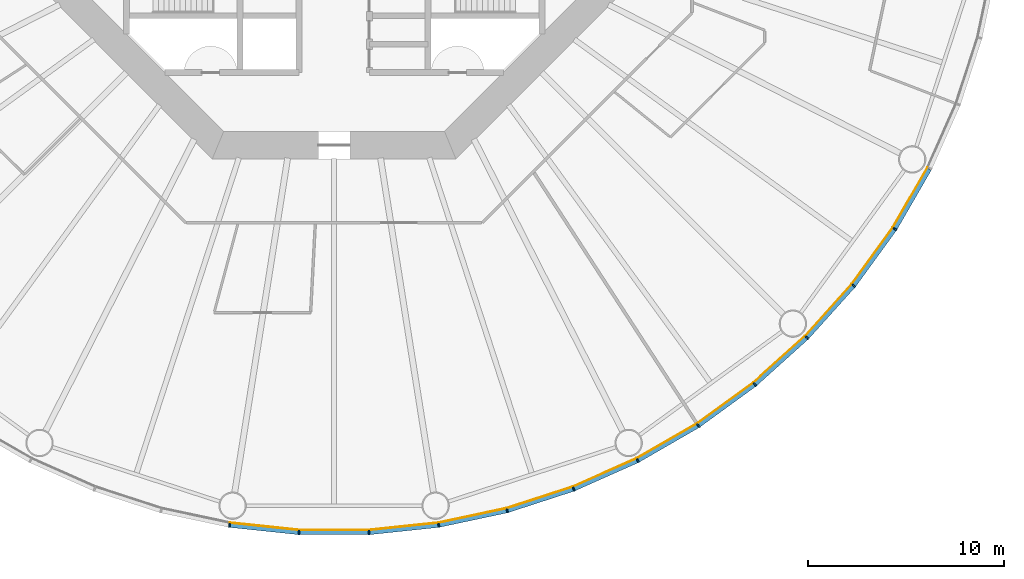
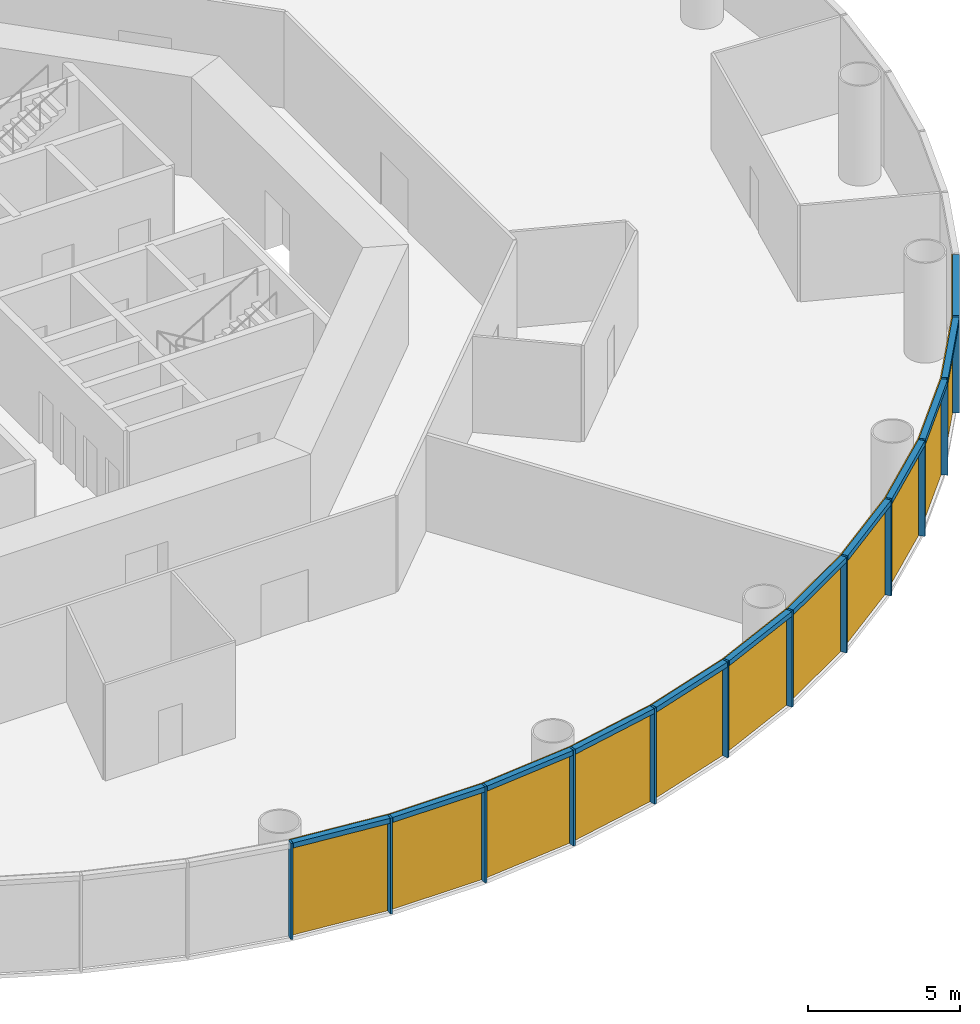
# One storey, part 8 of 13: 24 members, 4 curtain walls.
"""IFC4 building model written with IfcOpenShell, lengths in metres."""

import ifcopenshell
import ifcopenshell.guid

model = None  # the IFC model being written
_history = None  # IfcOwnerHistory: only IFC2X3 demands one
_inside = {}  # id of a spatial element -> (the spatial element, [elements in it])
_under = {}  # id of a project, library or spatial element -> (it, [spatial elements below it])
_declared = {}  # id of a project -> (the project, [libraries it declares])
_typed = {}  # id of a type object -> (the type object, [elements of that type])
_made_of = {}  # id of a material, layer set ... -> (it, [elements and type objects made of it])


def new_model(schema):
    """Start an empty IFC model of exactly this schema.

    Asked for "IFC4X3", IfcOpenShell would pick the latest addendum, in which some entities
    have other attributes; the version numbers below select the first issue.
    IFC2X3 requires an IfcOwnerHistory on every rooted entity: one is made here for all.
    """
    global model, _history
    if schema == "IFC4X3":
        model = ifcopenshell.file(schema_version=(4, 3, 0, 0))
    else:
        model = ifcopenshell.file(schema=schema)
    _inside.clear()
    _under.clear()
    _declared.clear()
    _typed.clear()
    _made_of.clear()
    _history = None
    if model.schema == "IFC2X3":
        org = make("IfcOrganization", Name="unknown")
        user = make(
            "IfcPersonAndOrganization",
            ThePerson=make("IfcPerson", FamilyName="unknown"),
            TheOrganization=org,
        )
        app = make(
            "IfcApplication",
            ApplicationDeveloper=org,
            Version="unknown",
            ApplicationFullName="unknown",
            ApplicationIdentifier="unknown",
        )
        _history = make(
            "IfcOwnerHistory",
            OwningUser=user,
            OwningApplication=app,
            ChangeAction="ADDED",
            CreationDate=0,
        )
    return model


def make(cls, **values):
    """One entity of the class cls with the attributes given. An attribute that is None is left unset."""
    return model.create_entity(
        cls, **{name: value for name, value in values.items() if value is not None}
    )


def rooted(cls, **values):
    """An entity with a GlobalId (a new one), such as an element, a storey or a relation."""
    return make(cls, GlobalId=ifcopenshell.guid.new(), OwnerHistory=_history, **values)


def si_unit(unit_type, name, prefix=None):
    """IfcSIUnit, for example si_unit("LENGTHUNIT", "METRE", prefix="MILLI")."""
    return make("IfcSIUnit", UnitType=unit_type, Prefix=prefix, Name=name)


def assignment(units):
    """IfcUnitAssignment: the units of a project."""
    return None if units is None else make("IfcUnitAssignment", Units=units)


def point(xyz):
    """IfcCartesianPoint."""
    return None if xyz is None else make("IfcCartesianPoint", Coordinates=xyz)


def direction(xyz):
    """IfcDirection."""
    return None if xyz is None else make("IfcDirection", DirectionRatios=xyz)


def frame(location, z_axis=None, x_axis=None):
    """IfcAxis2Placement3D, a coordinate frame: its origin and axes. An axis left out is left unset."""
    return make(
        "IfcAxis2Placement3D",
        Location=point(location),
        Axis=direction(z_axis),
        RefDirection=direction(x_axis),
    )


def frame_2d(location, x_axis=None):
    """IfcAxis2Placement2D, a coordinate frame in the plane: its origin and x axis."""
    return make(
        "IfcAxis2Placement2D", Location=point(location), RefDirection=direction(x_axis)
    )


def origin():
    """The frame at (0, 0, 0) with its axes left unset."""
    return frame((0.0, 0.0, 0.0))


def origin_2d():
    """The frame at (0, 0) in the plane with its x axis left unset."""
    return frame_2d((0.0, 0.0))


def place(relative_to, where):
    """IfcLocalPlacement: puts the frame where relative to a parent placement (None: the world)."""
    return make(
        "IfcLocalPlacement", PlacementRelTo=relative_to, RelativePlacement=where
    )


def context(
    kind, dimensions, precision=None, world=None, true_north=None, identifier=None
):
    """IfcGeometricRepresentationContext, for example the 3D "Model" context."""
    return make(
        "IfcGeometricRepresentationContext",
        ContextIdentifier=identifier,
        ContextType=kind,
        CoordinateSpaceDimension=dimensions,
        Precision=precision,
        WorldCoordinateSystem=world,
        TrueNorth=true_north,
    )


def subcontext(parent, identifier, kind, view, scale=None):
    """IfcGeometricRepresentationSubContext, for example "Body" below "Model"."""
    return make(
        "IfcGeometricRepresentationSubContext",
        ContextIdentifier=identifier,
        ContextType=kind,
        ParentContext=parent,
        TargetScale=scale,
        TargetView=view,
    )


def project(units=None, contexts=None):
    """IfcProject with its units and contexts."""
    return rooted(
        "IfcProject",
        Name="project",
        RepresentationContexts=contexts,
        UnitsInContext=assignment(units),
    )


def spatial(cls, under=None, at=None, **own):
    """A site, building, storey or space (cls), placed at a placement, below another one or the project."""
    s = rooted(cls, ObjectPlacement=at, **own)
    if under is not None:
        _under.setdefault(under.id(), (under, []))[1].append(s)
    return s


def polyline(points):
    """IfcPolyline through the points."""
    return make("IfcPolyline", Points=[point(p) for p in points])


def profile(cls, at=None, kind="AREA", **sizes):
    """A parametric profile (cls). Its sizes go by their IFC names, for example OverallWidth=200.0."""
    return make(cls, ProfileType=kind, Position=at, **sizes)


def rectangle(**sizes):
    """IfcRectangleProfileDef."""
    return profile("IfcRectangleProfileDef", **sizes)


def outline(outer, holes=None, kind="AREA"):
    """IfcArbitraryClosedProfileDef: a profile drawn as a closed curve; with holes, ...WithVoids."""
    if holes is None:
        return make("IfcArbitraryClosedProfileDef", ProfileType=kind, OuterCurve=outer)
    return make(
        "IfcArbitraryProfileDefWithVoids",
        ProfileType=kind,
        OuterCurve=outer,
        InnerCurves=holes,
    )


def extrude(swept, where, along, depth):
    """IfcExtrudedAreaSolid: the profile swept, set in the frame where, extruded along a direction by depth."""
    return make(
        "IfcExtrudedAreaSolid",
        SweptArea=swept,
        Position=where,
        ExtrudedDirection=direction(along),
        Depth=depth,
    )


def shape(context_of_items, identifier, shape_type, items):
    """IfcShapeRepresentation: the items that make up one representation, for example the "Body"."""
    return make(
        "IfcShapeRepresentation",
        ContextOfItems=context_of_items,
        RepresentationIdentifier=identifier,
        RepresentationType=shape_type,
        Items=items,
    )


def material(Name=None, Category=None):
    """IfcMaterial."""
    return make("IfcMaterial", Name=Name, Category=Category)


def layer(
    of_material, thickness, ventilated=None, Name=None, Category=None, Priority=None
):
    """IfcMaterialLayer: one layer of a wall or slab, of a material (None: an air gap)."""
    return make(
        "IfcMaterialLayer",
        Material=of_material,
        LayerThickness=thickness,
        IsVentilated=ventilated,
        Name=Name,
        Category=Category,
        Priority=Priority,
    )


def layer_set(layers, Name=None):
    """IfcMaterialLayerSet."""
    return make("IfcMaterialLayerSet", MaterialLayers=layers, LayerSetName=Name)


def material_profile(
    of_material, cross_section, Name=None, Category=None, Priority=None
):
    """IfcMaterialProfile: a cross section and its material."""
    return make(
        "IfcMaterialProfile",
        Name=Name,
        Material=of_material,
        Profile=cross_section,
        Priority=Priority,
        Category=Category,
    )


def profile_set(profiles, Name=None, composite=None):
    """IfcMaterialProfileSet."""
    return make(
        "IfcMaterialProfileSet",
        Name=Name,
        MaterialProfiles=profiles,
        CompositeProfile=composite,
    )


def made_of(thing, what):
    """Note that an element or type object is made of a material, layer set ...; save() writes the relation."""
    if what is not None:
        _made_of.setdefault(what.id(), (what, []))[1].append(thing)
    return thing


def type_object(cls, material=None, **own):
    """A type object (cls), such as IfcWallType, which elements share."""
    return made_of(rooted(cls, **own), material)


def element(
    cls,
    number,
    at=None,
    inside=None,
    cuts=None,
    type_object=None,
    material=None,
    context=None,
    identifier="Body",
    shape_type=None,
    held_by="IfcProductDefinitionShape",
    body=None,
    shapes=None,
    **own,
):
    """One element of the class cls, such as IfcWall. Its Tag is "e" and its number.

    at: its placement. inside: the storey or other place that contains it. cuts: it is an
    opening in that element (IfcRelVoidsElement). A single representation is given by context,
    identifier, shape_type and body (its items); several are given by shapes. held_by: the class
    of the entity that holds the representations. save() writes the other relations.
    """
    e = rooted(cls, Tag="e%d" % number, ObjectPlacement=at, **own)
    if body is not None:
        shapes = [shape(context, identifier, shape_type, body)]
    if shapes is not None:
        e.Representation = make(held_by, Representations=shapes)
    if inside is not None:
        _inside.setdefault(inside.id(), (inside, []))[1].append(e)
    if cuts is not None:
        rooted(
            "IfcRelVoidsElement", RelatingBuildingElement=cuts, RelatedOpeningElement=e
        )
    if type_object is not None:
        _typed.setdefault(type_object.id(), (type_object, []))[1].append(e)
    return made_of(e, material)


def aggregate(whole, parts):
    """IfcRelAggregates: a whole, such as a stair, and the parts it consists of."""
    return rooted("IfcRelAggregates", RelatingObject=whole, RelatedObjects=parts)


def save(model, path):
    """Write the relations noted so far, then the file.

    IfcRelAggregates (storeys below a building ...), IfcRelContainedInSpatialStructure (elements
    in a storey), IfcRelDefinesByType, IfcRelAssociatesMaterial and IfcRelDeclares: one each for
    every whole, place, type object, material and project.
    """
    for whole, parts in _under.values():
        aggregate(whole, parts)
    for where, things in _inside.values():
        rooted(
            "IfcRelContainedInSpatialStructure",
            RelatedElements=things,
            RelatingStructure=where,
        )
    for kind, things in _typed.values():
        rooted("IfcRelDefinesByType", RelatedObjects=things, RelatingType=kind)
    for what, things in _made_of.values():
        rooted("IfcRelAssociatesMaterial", RelatedObjects=things, RelatingMaterial=what)
    for by, libraries in _declared.values():
        rooted("IfcRelDeclares", RelatingContext=by, RelatedDefinitions=libraries)
    model.write(path)


model = new_model("IFC4")

# Units and contexts
model_context = context("Model", 3, precision=1e-05, world=origin(), true_north=direction((0.0, 1.0)))
body_context = subcontext(model_context, "Body", "Model", "MODEL_VIEW")
ifc_project = project(units=[si_unit("LENGTHUNIT", "METRE"), si_unit("AREAUNIT", "SQUARE_METRE"), si_unit("VOLUMEUNIT", "CUBIC_METRE"), si_unit("PLANEANGLEUNIT", "RADIAN"), si_unit("MASSUNIT", "GRAM", prefix="KILO")], contexts=[model_context])

# Member
ifc_material_1 = material(Name="Anodised aluminium", Category="aluminium")
ifc_material_profile_1 = material_profile(ifc_material_1, rectangle(XDim=0.074951171875, YDim=0.219970703125, at=origin_2d()), Name="Mullion 75 x 220 mm anodised aluminium")
ifc_profile_set_1 = profile_set([ifc_material_profile_1], Name="Anodised aluminium")
member_type_1 = type_object("IfcMemberType", Name="Mullion 75 x 220 mm anodised aluminium", PredefinedType="MULLION", material=ifc_profile_set_1)
site_placement = place(None, origin())
building_placement = place(site_placement, origin())
storey_placement = place(building_placement, frame((0.0, 0.0, 42.0)))
member_1_placement = place(storey_placement, frame((84.6640625, 46.31005859375, 0.0), z_axis=(0.0, 0.0, 1.0), x_axis=(0.987688340595, -0.15643446504, 0.0)))
member_1 = element("IfcMember", 1, at=member_1_placement, type_object=member_type_1, Name="MULLION L08-42", PredefinedType="MULLION", context=body_context, shape_type="SweptSolid", body=[
    extrude(rectangle(XDim=0.074951171875, YDim=0.219970703125, at=origin_2d()), origin(), (0.0, 0.0, 1.0), 3.85009765625),
])

member_2_placement = place(storey_placement, frame((88.21484375, 45.936767578125, 0.0), z_axis=(0.0, 0.0, 1.0), x_axis=(0.998629534755, -0.052335956243, 0.0)))
member_2 = element("IfcMember", 2, at=member_2_placement, type_object=member_type_1, Name="MULLION L08-43", PredefinedType="MULLION", context=body_context, shape_type="SweptSolid", body=[
    extrude(rectangle(XDim=0.074951171875, YDim=0.219970703125, at=origin_2d()), origin(), (0.0, 0.0, 1.0), 3.85009765625),
])

member_3_placement = place(storey_placement, frame((91.78515625, 45.936767578125, 0.0), z_axis=(0.0, 0.0, 1.0), x_axis=(0.998629534755, 0.052335956243, 0.0)))
member_3 = element("IfcMember", 3, at=member_3_placement, type_object=member_type_1, Name="MULLION L08-44", PredefinedType="MULLION", context=body_context, shape_type="SweptSolid", body=[
    extrude(rectangle(XDim=0.074951171875, YDim=0.219970703125, at=origin_2d()), origin(), (0.0, 0.0, 1.0), 3.85009765625),
])

member_4_placement = place(storey_placement, frame((95.3359375, 46.31005859375, 0.0), z_axis=(0.0, 0.0, 1.0), x_axis=(0.987688340595, 0.15643446504, 0.0)))
member_4 = element("IfcMember", 4, at=member_4_placement, type_object=member_type_1, Name="MULLION L08-45", PredefinedType="MULLION", context=body_context, shape_type="SweptSolid", body=[
    extrude(rectangle(XDim=0.074951171875, YDim=0.219970703125, at=origin_2d()), origin(), (0.0, 0.0, 1.0), 3.85009765625),
])

member_5_placement = place(storey_placement, frame((98.828369140625, 47.05224609375, 0.0), z_axis=(0.0, 0.0, 1.0), x_axis=(0.965925826289, 0.258819045103, 0.0)))
member_5 = element("IfcMember", 5, at=member_5_placement, type_object=member_type_1, Name="MULLION L08-46", PredefinedType="MULLION", context=body_context, shape_type="SweptSolid", body=[
    extrude(rectangle(XDim=0.074951171875, YDim=0.219970703125, at=origin_2d()), origin(), (0.0, 0.0, 1.0), 3.85009765625),
])

member_6_placement = place(storey_placement, frame((102.223876953125, 48.155517578125, 0.0), z_axis=(0.0, 0.0, 1.0), x_axis=(0.933580426497, 0.358367949545, 0.0)))
member_6 = element("IfcMember", 6, at=member_6_placement, type_object=member_type_1, Name="MULLION L08-47", PredefinedType="MULLION", context=body_context, shape_type="SweptSolid", body=[
    extrude(rectangle(XDim=0.074951171875, YDim=0.219970703125, at=origin_2d()), origin(), (0.0, 0.0, 1.0), 3.85009765625),
])

member_7_placement = place(storey_placement, frame((105.485595703125, 49.607666015625, 0.0), z_axis=(0.0, 0.0, 1.0), x_axis=(0.891006524188, 0.45399049974, 0.0)))
member_7 = element("IfcMember", 7, at=member_7_placement, type_object=member_type_1, Name="MULLION L08-48", PredefinedType="MULLION", context=body_context, shape_type="SweptSolid", body=[
    extrude(rectangle(XDim=0.074951171875, YDim=0.219970703125, at=origin_2d()), origin(), (0.0, 0.0, 1.0), 3.85009765625),
])

member_8_placement = place(storey_placement, frame((108.57763671875, 51.39306640625, 0.0), z_axis=(0.0, 0.0, 1.0), x_axis=(0.838670567945, 0.544639035015, 0.0)))
member_8 = element("IfcMember", 8, at=member_8_placement, type_object=member_type_1, Name="MULLION L08-49", PredefinedType="MULLION", context=body_context, shape_type="SweptSolid", body=[
    extrude(rectangle(XDim=0.074951171875, YDim=0.219970703125, at=origin_2d()), origin(), (0.0, 0.0, 1.0), 3.85009765625),
])

member_9_placement = place(storey_placement, frame((111.466064453125, 53.491455078125, 0.0), z_axis=(0.0, 0.0, 1.0), x_axis=(0.777145961457, 0.62932039105, 0.0)))
member_9 = element("IfcMember", 9, at=member_9_placement, type_object=member_type_1, Name="MULLION L08-50", PredefinedType="MULLION", context=body_context, shape_type="SweptSolid", body=[
    extrude(rectangle(XDim=0.074951171875, YDim=0.219970703125, at=origin_2d()), origin(), (0.0, 0.0, 1.0), 3.85009765625),
])

member_10_placement = place(storey_placement, frame((114.119384765625, 55.880615234375, 0.0), z_axis=(0.0, 0.0, 1.0), x_axis=(0.707106781187, 0.707106781187, 0.0)))
member_10 = element("IfcMember", 10, at=member_10_placement, type_object=member_type_1, Name="MULLION L08-51", PredefinedType="MULLION", context=body_context, shape_type="SweptSolid", body=[
    extrude(rectangle(XDim=0.074951171875, YDim=0.219970703125, at=origin_2d()), origin(), (0.0, 0.0, 1.0), 3.85009765625),
])

member_11_placement = place(storey_placement, frame((116.508544921875, 58.533935546875, 0.0), z_axis=(0.0, 0.0, 1.0), x_axis=(0.62932039105, 0.777145961457, 0.0)))
member_11 = element("IfcMember", 11, at=member_11_placement, type_object=member_type_1, Name="MULLION L08-52", PredefinedType="MULLION", context=body_context, shape_type="SweptSolid", body=[
    extrude(rectangle(XDim=0.074951171875, YDim=0.219970703125, at=origin_2d()), origin(), (0.0, 0.0, 1.0), 3.85009765625),
])

member_12_placement = place(storey_placement, frame((118.60693359375, 61.42236328125, 0.0), z_axis=(0.0, 0.0, 1.0), x_axis=(0.544639035015, 0.838670567945, 0.0)))
member_12 = element("IfcMember", 12, at=member_12_placement, type_object=member_type_1, Name="MULLION L08-53", PredefinedType="MULLION", context=body_context, shape_type="SweptSolid", body=[
    extrude(rectangle(XDim=0.074951171875, YDim=0.219970703125, at=origin_2d()), origin(), (0.0, 0.0, 1.0), 3.85009765625),
])

ifc_material_2 = material(Name="Anodised aluminium", Category="aluminium")
ifc_material_profile_2 = material_profile(ifc_material_2, rectangle(XDim=0.219970703125, YDim=0.199951171875, at=origin_2d()), Name="Transom 200 x 220 mm anodised aluminium")
ifc_profile_set_2 = profile_set([ifc_material_profile_2], Name="Anodised aluminium")
member_type_2 = type_object("IfcMemberType", Name="Transom 200 x 220 mm anodised aluminium", PredefinedType="USERDEFINED", material=ifc_profile_set_2)
member_13_placement = place(storey_placement, frame((84.70703125, 46.30517578125, 3.75), z_axis=(0.994526551648, -0.104484152234, 0.0), x_axis=(0.104484152234, 0.994526551648, 0.0)))
member_13 = element("IfcMember", 13, at=member_13_placement, type_object=member_type_2, Name="TRANSOM L08-42", ObjectType="TRANSOM", PredefinedType="USERDEFINED", context=body_context, shape_type="SweptSolid", body=[
    extrude(rectangle(XDim=0.219970703125, YDim=0.199951171875, at=origin_2d()), origin(), (0.0, 0.0, 1.0), 3.48388671875),
])

member_14_placement = place(storey_placement, frame((88.258056640625, 45.9365234375, 3.75), z_axis=(1.0, 0.0, 0.0), x_axis=(0.0, 1.0, 0.0)))
member_14 = element("IfcMember", 14, at=member_14_placement, type_object=member_type_2, Name="TRANSOM L08-43", ObjectType="TRANSOM", PredefinedType="USERDEFINED", context=body_context, shape_type="SweptSolid", body=[
    extrude(rectangle(XDim=0.219970703125, YDim=0.199951171875, at=origin_2d()), origin(), (0.0, 0.0, 1.0), 3.48388671875),
])

member_15_placement = place(storey_placement, frame((91.828125, 45.941162109375, 3.75), z_axis=(0.994526551648, 0.104484152234, 0.0), x_axis=(-0.104484152234, 0.994526551648, 0.0)))
member_15 = element("IfcMember", 15, at=member_15_placement, type_object=member_type_2, Name="TRANSOM L08-44", ObjectType="TRANSOM", PredefinedType="USERDEFINED", context=body_context, shape_type="SweptSolid", body=[
    extrude(rectangle(XDim=0.219970703125, YDim=0.199951171875, at=origin_2d()), origin(), (0.0, 0.0, 1.0), 3.48388671875),
])

member_16_placement = place(storey_placement, frame((95.37841796875, 46.31884765625, 3.75), z_axis=(0.978145669426, 0.207920776701, 0.0), x_axis=(-0.207920776701, 0.978145669426, 0.0)))
member_16 = element("IfcMember", 16, at=member_16_placement, type_object=member_type_2, Name="TRANSOM L08-45", ObjectType="TRANSOM", PredefinedType="USERDEFINED", context=body_context, shape_type="SweptSolid", body=[
    extrude(rectangle(XDim=0.219970703125, YDim=0.199951171875, at=origin_2d()), origin(), (0.0, 0.0, 1.0), 3.48388671875),
])

member_17_placement = place(storey_placement, frame((98.869384765625, 47.0654296875, 3.75), z_axis=(0.951052605696, 0.309029029702, 0.0), x_axis=(-0.309029029702, 0.951052605696, 0.0)))
member_17 = element("IfcMember", 17, at=member_17_placement, type_object=member_type_2, Name="TRANSOM L08-46", ObjectType="TRANSOM", PredefinedType="USERDEFINED", context=body_context, shape_type="SweptSolid", body=[
    extrude(rectangle(XDim=0.219970703125, YDim=0.199951171875, at=origin_2d()), origin(), (0.0, 0.0, 1.0), 3.484130859375),
])

member_18_placement = place(storey_placement, frame((102.263427734375, 48.173095703125, 3.75), z_axis=(0.913545487371, 0.406736576304, 0.0), x_axis=(-0.406736576304, 0.913545487371, 0.0)))
member_18 = element("IfcMember", 18, at=member_18_placement, type_object=member_type_2, Name="TRANSOM L08-47", ObjectType="TRANSOM", PredefinedType="USERDEFINED", context=body_context, shape_type="SweptSolid", body=[
    extrude(rectangle(XDim=0.219970703125, YDim=0.199951171875, at=origin_2d()), origin(), (0.0, 0.0, 1.0), 3.48388671875),
])

member_19_placement = place(storey_placement, frame((105.523193359375, 49.629150390625, 3.75), z_axis=(0.866022206254, 0.500005538244, 0.0), x_axis=(-0.500005538244, 0.866022206254, 0.0)))
member_19 = element("IfcMember", 19, at=member_19_placement, type_object=member_type_2, Name="TRANSOM L08-48", ObjectType="TRANSOM", PredefinedType="USERDEFINED", context=body_context, shape_type="SweptSolid", body=[
    extrude(rectangle(XDim=0.219970703125, YDim=0.199951171875, at=origin_2d()), origin(), (0.0, 0.0, 1.0), 3.48388671875),
])

member_20_placement = place(storey_placement, frame((108.61279296875, 51.418212890625, 3.75), z_axis=(0.80899056535, 0.587821627006, 0.0), x_axis=(-0.587821627006, 0.80899056535, 0.0)))
member_20 = element("IfcMember", 20, at=member_20_placement, type_object=member_type_2, Name="TRANSOM L08-49", ObjectType="TRANSOM", PredefinedType="USERDEFINED", context=body_context, shape_type="SweptSolid", body=[
    extrude(rectangle(XDim=0.219970703125, YDim=0.199951171875, at=origin_2d()), origin(), (0.0, 0.0, 1.0), 3.48388671875),
])

member_21_placement = place(storey_placement, frame((111.498291015625, 53.520263671875, 3.75), z_axis=(0.743137329876, 0.669138930974, 0.0), x_axis=(-0.669138930974, 0.743137329876, 0.0)))
member_21 = element("IfcMember", 21, at=member_21_placement, type_object=member_type_2, Name="TRANSOM L08-50", ObjectType="TRANSOM", PredefinedType="USERDEFINED", context=body_context, shape_type="SweptSolid", body=[
    extrude(rectangle(XDim=0.219970703125, YDim=0.199951171875, at=origin_2d()), origin(), (0.0, 0.0, 1.0), 3.484130859375),
])

member_22_placement = place(storey_placement, frame((114.1484375, 55.91259765625, 3.75), z_axis=(0.669138930974, 0.743137329876, 0.0), x_axis=(-0.743137329876, 0.669138930974, 0.0)))
member_22 = element("IfcMember", 22, at=member_22_placement, type_object=member_type_2, Name="TRANSOM L08-51", ObjectType="TRANSOM", PredefinedType="USERDEFINED", context=body_context, shape_type="SweptSolid", body=[
    extrude(rectangle(XDim=0.219970703125, YDim=0.199951171875, at=origin_2d()), origin(), (0.0, 0.0, 1.0), 3.484130859375),
])

member_23_placement = place(storey_placement, frame((116.533935546875, 58.56884765625, 3.75), z_axis=(0.587821627006, 0.80899056535, 0.0), x_axis=(-0.80899056535, 0.587821627006, 0.0)))
member_23 = element("IfcMember", 23, at=member_23_placement, type_object=member_type_2, Name="TRANSOM L08-52", ObjectType="TRANSOM", PredefinedType="USERDEFINED", context=body_context, shape_type="SweptSolid", body=[
    extrude(rectangle(XDim=0.219970703125, YDim=0.199951171875, at=origin_2d()), origin(), (0.0, 0.0, 1.0), 3.48388671875),
])

member_24_placement = place(storey_placement, frame((118.62890625, 61.459716796875, 3.75), z_axis=(0.500005538244, 0.866022206254, 0.0), x_axis=(-0.866022206254, 0.500005538244, 0.0)))
member_24 = element("IfcMember", 24, at=member_24_placement, type_object=member_type_2, Name="TRANSOM L08-53", ObjectType="TRANSOM", PredefinedType="USERDEFINED", context=body_context, shape_type="SweptSolid", body=[
    extrude(rectangle(XDim=0.219970703125, YDim=0.199951171875, at=origin_2d()), origin(), (0.0, 0.0, 1.0), 3.48388671875),
])

# Site, building, storey
site = spatial("IfcSite", under=ifc_project, at=site_placement, CompositionType="ELEMENT")
building = spatial("IfcBuilding", under=site, at=building_placement, Name="Entoto Ring Tower", CompositionType="ELEMENT")
storey = spatial("IfcBuildingStorey", under=building, at=storey_placement, Name="L08", CompositionType="ELEMENT", Elevation=42.0)

# Curtain wall
ifc_material_3 = material(Name="Clear low-iron glass", Category="glass")
ifc_layer = layer(ifc_material_3, 0.0400390625)
ifc_layer_set = layer_set([ifc_layer], Name="Clear low-iron glass")
curtain_wall_type = type_object("IfcCurtainWallType", Name="Curtain wall system CW1 glazing 40 mm", PredefinedType="NOTDEFINED", material=ifc_layer_set)
curtain_wall_1_placement = place(storey_placement, origin())
curtain_wall_1 = element("IfcCurtainWall", 25, at=curtain_wall_1_placement, inside=storey, type_object=curtain_wall_type, Name="CW1 L08-15", PredefinedType="NOTDEFINED", context=body_context, shape_type="SweptSolid", body=[
    extrude(outline(polyline([(84.68115234375, 46.418701171875), (88.220458984375, 46.046630859375), (91.779541015625, 46.046630859375), (95.31884765625, 46.418701171875), (95.3125, 46.458251953125), (91.77734375, 46.086669921875), (88.22265625, 46.086669921875), (84.6875, 46.458251953125), (84.68115234375, 46.418701171875)])), origin(), (0.0, 0.0, 1.0), 3.85009765625),
])

aggregate(curtain_wall_1, [member_1, member_2, member_3, member_13, member_14, member_15])

curtain_wall_2_placement = place(storey_placement, origin())
curtain_wall_2 = element("IfcCurtainWall", 26, at=curtain_wall_2_placement, inside=storey, type_object=curtain_wall_type, Name="CW1 L08-16", PredefinedType="NOTDEFINED", context=body_context, shape_type="SweptSolid", body=[
    extrude(outline(polyline([(95.31884765625, 46.418701171875), (98.7998046875, 47.158447265625), (102.1845703125, 48.25830078125), (105.435791015625, 49.705810546875), (105.41748046875, 49.741455078125), (102.170166015625, 48.295654296875), (98.78955078125, 47.197265625), (95.3125, 46.458251953125), (95.31884765625, 46.418701171875)])), origin(), (0.0, 0.0, 1.0), 3.85009765625),
])

aggregate(curtain_wall_2, [member_4, member_5, member_6, member_16, member_17, member_18])

curtain_wall_3_placement = place(storey_placement, origin())
curtain_wall_3 = element("IfcCurtainWall", 27, at=curtain_wall_3_placement, inside=storey, type_object=curtain_wall_type, Name="CW1 L08-17", PredefinedType="NOTDEFINED", context=body_context, shape_type="SweptSolid", body=[
    extrude(outline(polyline([(105.435791015625, 49.705810546875), (108.517822265625, 51.485107421875), (111.39697265625, 53.5771484375), (114.041748046875, 55.958251953125), (114.013427734375, 55.986572265625), (111.37158203125, 53.608154296875), (108.495849609375, 51.518798828125), (105.41748046875, 49.741455078125), (105.435791015625, 49.705810546875)])), origin(), (0.0, 0.0, 1.0), 3.85009765625),
])

aggregate(curtain_wall_3, [member_7, member_8, member_9, member_19, member_20, member_21])

curtain_wall_4_placement = place(storey_placement, origin())
curtain_wall_4 = element("IfcCurtainWall", 28, at=curtain_wall_4_placement, inside=storey, type_object=curtain_wall_type, Name="CW1 L08-18", PredefinedType="NOTDEFINED", context=body_context, shape_type="SweptSolid", body=[
    extrude(outline(polyline([(114.041748046875, 55.958251953125), (116.4228515625, 58.60302734375), (118.514892578125, 61.482177734375), (120.294189453125, 64.564208984375), (120.258544921875, 64.58251953125), (118.481201171875, 61.504150390625), (116.391845703125, 58.62841796875), (114.013427734375, 55.986572265625), (114.041748046875, 55.958251953125)])), origin(), (0.0, 0.0, 1.0), 3.85009765625),
])

aggregate(curtain_wall_4, [member_10, member_11, member_12, member_22, member_23, member_24])

save(model, "model.ifc")
